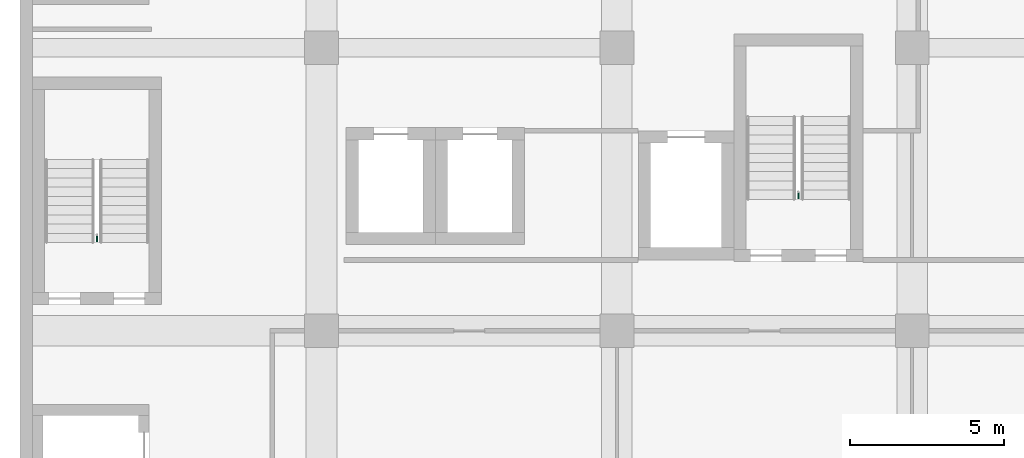
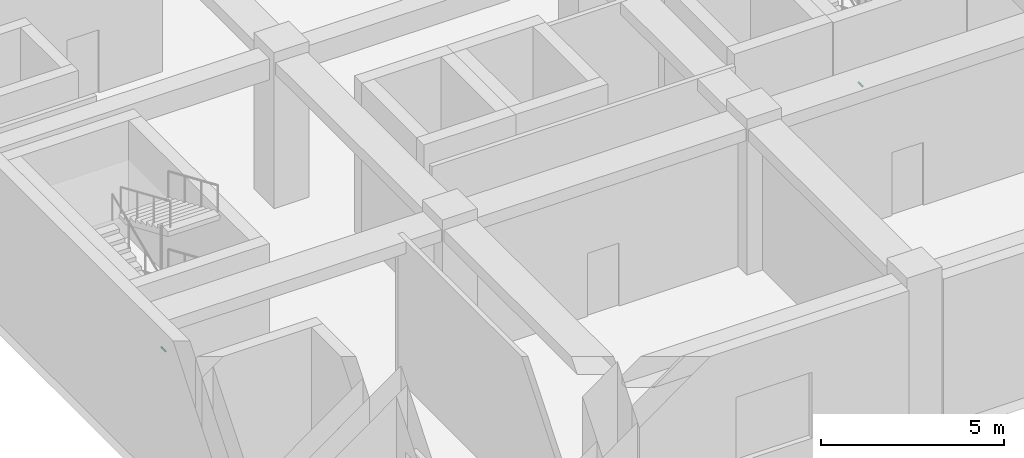
# One storey, part 26 of 31: 2 pipe fittings.
"""IFC4 building model written with IfcOpenShell, lengths in metres."""

from ifc_helpers import new_model, si_unit, direction, frame, origin, origin_2d, place, context, subcontext, project, spatial, circle, extrude, element, save


model = new_model("IFC4")

# Units and contexts
model_context = context("Model", 3, precision=1e-05, world=origin(), true_north=direction((0.0, 1.0)))
body_context = subcontext(model_context, "Body", "Model", "MODEL_VIEW")
ifc_project = project(units=[si_unit("LENGTHUNIT", "METRE"), si_unit("AREAUNIT", "SQUARE_METRE"), si_unit("VOLUMEUNIT", "CUBIC_METRE"), si_unit("PLANEANGLEUNIT", "RADIAN"), si_unit("MASSUNIT", "GRAM", prefix="KILO")], contexts=[model_context])

# Site, building, storey
site_placement = place(None, origin())
site = spatial("IfcSite", under=ifc_project, at=site_placement, CompositionType="ELEMENT")
building_placement = place(site_placement, origin())
building = spatial("IfcBuilding", under=site, at=building_placement, Name="Nzadi Deep Aquarium and Research Tower", CompositionType="ELEMENT")
storey_placement = place(building_placement, frame((0.0, 0.0, 26.699951171875)))
storey = spatial("IfcBuildingStorey", under=building, at=storey_placement, Name="L04", CompositionType="ELEMENT", Elevation=26.699951171875)

# Pipe fittings
for number, where, z_axis, x_axis, name in (
    (1, (2.300048828125, 12.320068359375, 1.10009765625), (0.0, -1.0, 0.0), (1.0, 0.0, 0.0), "Dry riser outlet ST-Z1-SW L04"),
    (2, (25.10009765625, 13.719970703125, 1.10009765625), (0.0, -1.0, 0.0), (1.0, 0.0, 0.0), "Dry riser outlet ST-Z1-SE L04"),
):
    element("IfcPipeFitting", number, at=place(storey_placement, frame(where, z_axis=z_axis, x_axis=x_axis)), inside=storey, Name=name, PredefinedType="EXIT", context=body_context, shape_type="SweptSolid", body=[
        extrude(circle(Radius=0.0224609375, at=origin_2d()), origin(), (0.0, 0.0, 1.0), 0.22998046875),
    ])

save(model, "model.ifc")
